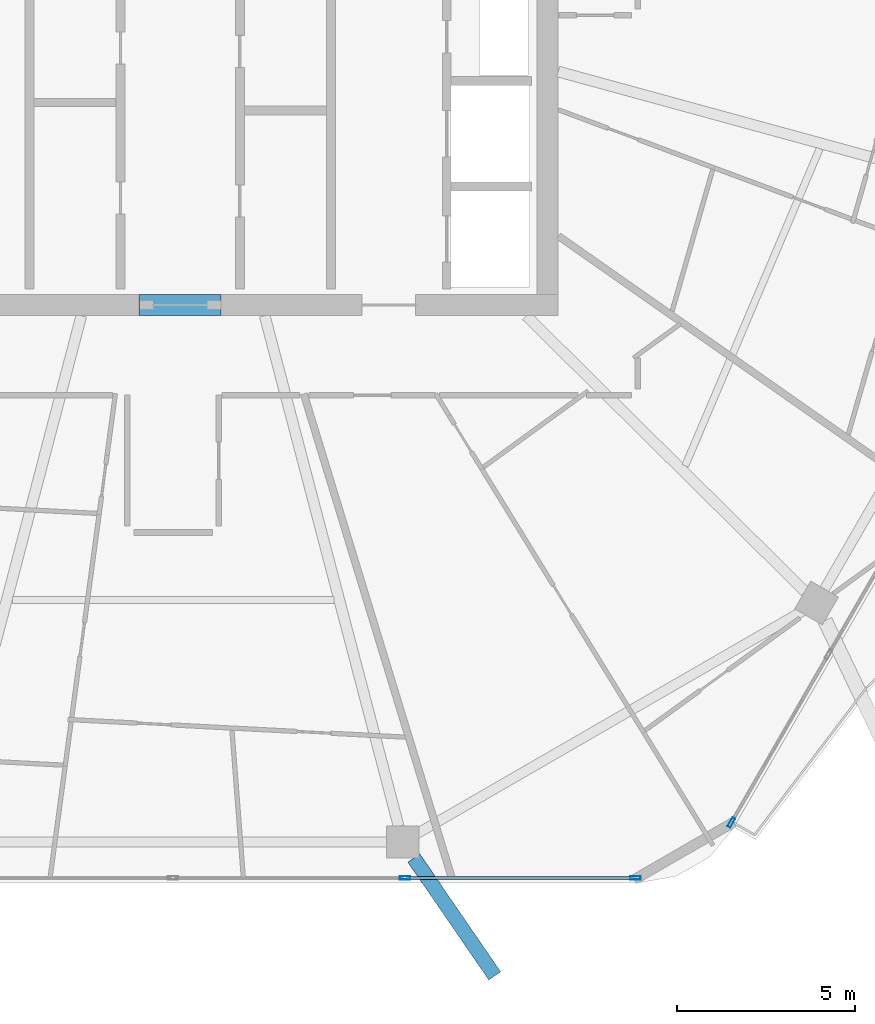
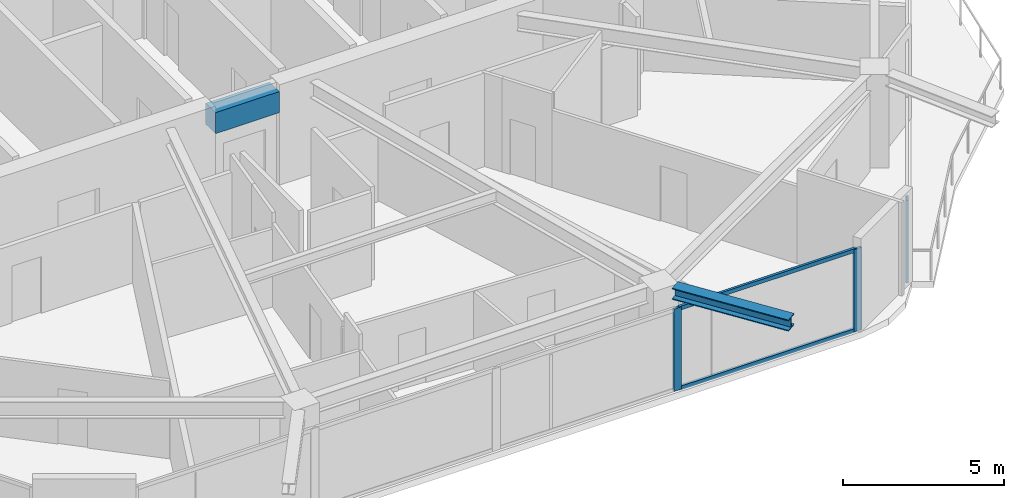
# One storey, part 7 of 25: 5 members, 2 beams, 2 elements without a shape of their own.
"""IFC4 building model written with IfcOpenShell, lengths in metres."""

from ifc_helpers import new_model, si_unit, direction, frame, origin, origin_2d, place, context, subcontext, project, spatial, rectangle, hollow_rectangle, i_section, extrude, material, material_profile, profile_set, type_object, element, aggregate, save


model = new_model("IFC4")

# Units and contexts
model_context = context("Model", 3, precision=1e-05, world=origin(), true_north=direction((0.0, 1.0)))
body_context = subcontext(model_context, "Body", "Model", "MODEL_VIEW")
ifc_project = project(units=[si_unit("LENGTHUNIT", "METRE"), si_unit("AREAUNIT", "SQUARE_METRE"), si_unit("VOLUMEUNIT", "CUBIC_METRE"), si_unit("PLANEANGLEUNIT", "RADIAN"), si_unit("MASSUNIT", "GRAM", prefix="KILO")], contexts=[model_context])

# Site, building, storey
site_placement = place(None, origin())
site = spatial("IfcSite", under=ifc_project, at=site_placement, CompositionType="ELEMENT")
building_placement = place(site_placement, origin())
building = spatial("IfcBuilding", under=site, at=building_placement, Name="Zuhravey Tower", CompositionType="ELEMENT")
storey_placement = place(building_placement, frame((0.0, 0.0, 257.800048828125)))
storey = spatial("IfcBuildingStorey", under=building, at=storey_placement, Name="L65", CompositionType="ELEMENT", Elevation=257.800048828125)

# Beam
ifc_material_1 = material(Name="Concrete C50/60", Category="concrete")
ifc_material_profile_1 = material_profile(ifc_material_1, rectangle(XDim=0.60009765625, YDim=0.800048828125, at=origin_2d()), Name="RC-600x800")
ifc_profile_set_1 = profile_set([ifc_material_profile_1], Name="Concrete C50/60")
beam_type_1 = type_object("IfcBeamType", Name="Core Coupling Beam RC600x800", PredefinedType="LINTEL", material=ifc_profile_set_1)
beam_1_placement = place(storey_placement, frame((35.052001953125, 22.5, 3.14990234375), z_axis=(1.0, 0.0, 0.0), x_axis=(0.0, 1.0, 0.0)))
element("IfcBeam", 1, at=beam_1_placement, inside=storey, type_object=beam_type_1, Name="L65 CB2 BM-L65-CB-S", PredefinedType="LINTEL", context=body_context, shape_type="SweptSolid", body=[
    extrude(rectangle(XDim=0.60009765625, YDim=0.800048828125, at=origin_2d()), origin(), (0.0, 0.0, 1.0), 2.2958984375),
])

# Curtain wall, member
ifc_material_2 = material(Name="Thermally broken anodised aluminium", Category="aluminium")
curtain_wall_type = type_object("IfcCurtainWallType", Name="Zone 3-4 High-Rise Curtain Wall CW4", PredefinedType="NOTDEFINED", material=ifc_material_2)
curtain_wall_1_placement = place(storey_placement, origin())
curtain_wall_1 = element("IfcCurtainWall", 2, at=curtain_wall_1_placement, inside=storey, type_object=curtain_wall_type, Name="L65 CW4 CW-L65-F6-2", PredefinedType="NOTDEFINED")
ifc_material_3 = material(Name="Anodised aluminium", Category="aluminium")
ifc_material_profile_2 = material_profile(ifc_material_3, hollow_rectangle(XDim=0.090087890625, YDim=0.284912109375, WallThickness=0.0048828125, at=origin_2d()), Name="ALU-RHS-90x285x5")
ifc_profile_set_2 = profile_set([ifc_material_profile_2], Name="Anodised aluminium")
member_type_1 = type_object("IfcMemberType", Name="Curtain-Wall Mullion 90x180", PredefinedType="MULLION", material=ifc_profile_set_2)
member_1_placement = place(storey_placement, frame((51.65478515625, 7.98779296875, 0.0), z_axis=(0.0, 0.0, 1.0), x_axis=(0.866025036881, -0.500000635495, 0.0)))
member_1 = element("IfcMember", 3, at=member_1_placement, type_object=member_type_1, Name="CW4 mullion 5", PredefinedType="MULLION", context=body_context, shape_type="SweptSolid", body=[
    extrude(hollow_rectangle(XDim=0.090087890625, YDim=0.284912109375, WallThickness=0.0048828125, at=origin_2d()), origin(), (0.0, 0.0, 1.0), 3.1220703125),
])
aggregate(curtain_wall_1, [member_1])

# Curtain wall, members
curtain_wall_2_placement = place(storey_placement, origin())
curtain_wall_2 = element("IfcCurtainWall", 4, at=curtain_wall_2_placement, inside=storey, type_object=curtain_wall_type, Name="L65 CW4 CW-L65-F5-1", PredefinedType="NOTDEFINED")
member_2_placement = place(storey_placement, frame((48.9677734375, 6.436279296875, 0.0), z_axis=(0.0, 0.0, 1.0), x_axis=(0.0, -1.0, 0.0)))
member_2 = element("IfcMember", 5, at=member_2_placement, type_object=member_type_1, Name="CW4 mullion 1", PredefinedType="MULLION", context=body_context, shape_type="SweptSolid", body=[
    extrude(hollow_rectangle(XDim=0.090087890625, YDim=0.284912109375, WallThickness=0.0048828125, at=origin_2d()), origin(), (0.0, 0.0, 1.0), 3.1220703125),
])
member_3_placement = place(storey_placement, frame((42.50634765625, 6.436279296875, 0.0), z_axis=(0.0, 0.0, 1.0), x_axis=(0.0, -1.0, 0.0)))
member_3 = element("IfcMember", 6, at=member_3_placement, type_object=member_type_1, Name="CW4 mullion 2", PredefinedType="MULLION", context=body_context, shape_type="SweptSolid", body=[
    extrude(hollow_rectangle(XDim=0.090087890625, YDim=0.284912109375, WallThickness=0.0048828125, at=origin_2d()), origin(), (0.0, 0.0, 1.0), 3.1220703125),
])
ifc_material_profile_3 = material_profile(ifc_material_3, hollow_rectangle(XDim=0.090087890625, YDim=0.14990234375, WallThickness=0.0048828125, at=origin_2d()), Name="ALU-RHS-90x150x5")
ifc_profile_set_3 = profile_set([ifc_material_profile_3], Name="Anodised aluminium")
member_type_2 = type_object("IfcMemberType", Name="Curtain-Wall Transom 90x150", PredefinedType="USERDEFINED", material=ifc_profile_set_3)
member_4_placement = place(storey_placement, frame((48.922607421875, 6.436279296875, 0.044921875), z_axis=(-1.0, 0.0, 0.0), x_axis=(0.0, -1.0, 0.0)))
member_4 = element("IfcMember", 7, at=member_4_placement, type_object=member_type_2, Name="CW4 transom 1.1", ObjectType="TRANSOM", PredefinedType="USERDEFINED", context=body_context, shape_type="SweptSolid", body=[
    extrude(hollow_rectangle(XDim=0.090087890625, YDim=0.14990234375, WallThickness=0.0048828125, at=origin_2d()), origin(), (0.0, 0.0, 1.0), 6.371337890625),
])
member_5_placement = place(storey_placement, frame((48.922607421875, 6.436279296875, 3.076904296875), z_axis=(-1.0, 0.0, 0.0), x_axis=(0.0, -1.0, 0.0)))
member_5 = element("IfcMember", 8, at=member_5_placement, type_object=member_type_2, Name="CW4 transom 1.2", ObjectType="TRANSOM", PredefinedType="USERDEFINED", context=body_context, shape_type="SweptSolid", body=[
    extrude(hollow_rectangle(XDim=0.090087890625, YDim=0.14990234375, WallThickness=0.0048828125, at=origin_2d()), origin(), (0.0, 0.0, 1.0), 6.371337890625),
])
aggregate(curtain_wall_2, [member_2, member_3, member_4, member_5])

# Beam
ifc_material_4 = material(Name="Steel SM460", Category="steel")
ifc_material_profile_4 = material_profile(ifc_material_4, i_section(OverallWidth=0.406982421875, OverallDepth=0.427978515625, WebThickness=0.02001953125, FlangeThickness=0.034912109375, at=origin_2d()), Name="H-428x407x20x35")
ifc_profile_set_4 = profile_set([ifc_material_profile_4], Name="Steel SM460")
beam_type_2 = type_object("IfcBeamType", Name="Exoskeleton Node Tie Beam H428x407", PredefinedType="BEAM", material=ifc_profile_set_4)
beam_2_placement = place(storey_placement, frame((42.752197265625, 6.9931640625, 3.3359375), z_axis=(0.565936679704, -0.824448709481, 0.0), x_axis=(0.824448709481, 0.565936679704, 0.0)))
element("IfcBeam", 9, at=beam_2_placement, inside=storey, type_object=beam_type_2, Name="L65 Exoskeleton Node Tie NT1-10", PredefinedType="BEAM", context=body_context, shape_type="SweptSolid", body=[
    extrude(i_section(OverallWidth=0.406982421875, OverallDepth=0.427978515625, WebThickness=0.02001953125, FlangeThickness=0.034912109375, at=origin_2d()), origin(), (0.0, 0.0, 1.0), 4.008056640625),
])

save(model, "model.ifc")
